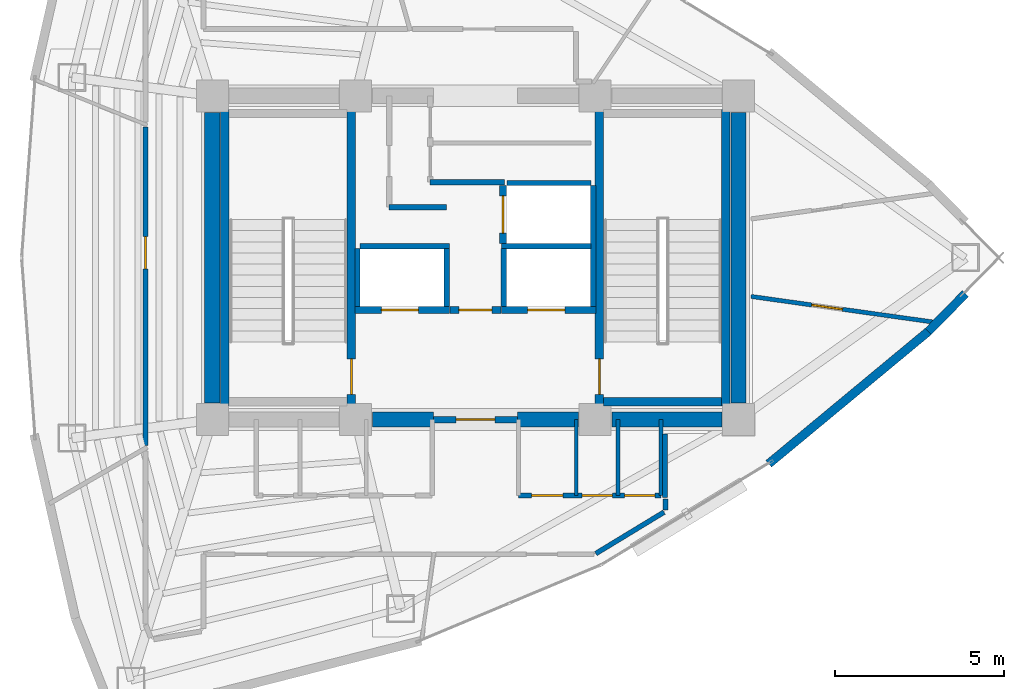
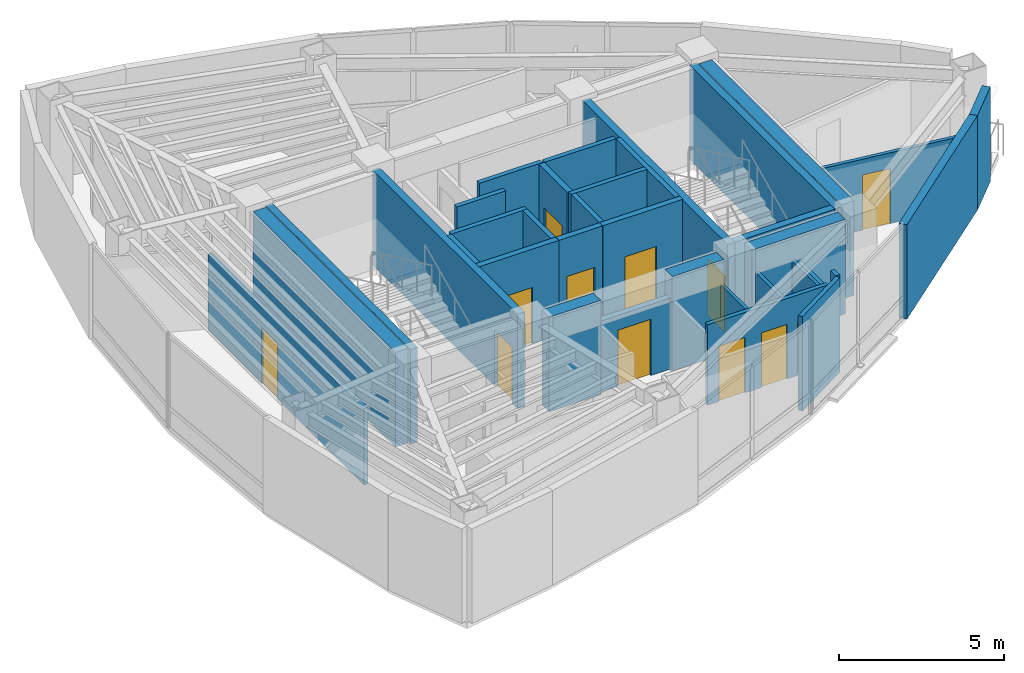
# One storey, part 12 of 15: 35 walls, 12 doors, 12 openings.
"""IFC4 building model written with IfcOpenShell, lengths in metres."""

from ifc_helpers import new_model, si_unit, direction, frame, frame_2d, origin, place, context, subcontext, project, spatial, rectangle, extrude, material, layer, layer_set, type_object, element, fill, save


model = new_model("IFC4")

# Units and contexts
model_context = context("Model", 3, precision=1e-05, world=origin(), true_north=direction((0.0, 1.0)))
body_context = subcontext(model_context, "Body", "Model", "MODEL_VIEW")
ifc_project = project(units=[si_unit("LENGTHUNIT", "METRE"), si_unit("AREAUNIT", "SQUARE_METRE"), si_unit("VOLUMEUNIT", "CUBIC_METRE"), si_unit("PLANEANGLEUNIT", "RADIAN"), si_unit("MASSUNIT", "GRAM", prefix="KILO")], contexts=[model_context])

# Site, building, storey
site_placement = place(None, origin())
site = spatial("IfcSite", under=ifc_project, at=site_placement, CompositionType="ELEMENT")
building_placement = place(site_placement, origin())
building = spatial("IfcBuilding", under=site, at=building_placement, Name="Menara Vayukalpa", CompositionType="ELEMENT")
storey_placement = place(building_placement, frame((0.0, 0.0, 288.06005859375)))
storey = spatial("IfcBuildingStorey", under=building, at=storey_placement, Name="L73", CompositionType="ELEMENT", Elevation=288.06005859375)

# Walls
ifc_material_1 = material(Name="Concrete C50/60", Category="concrete")
ifc_layer_1 = layer(ifc_material_1, 0.449951171875)
ifc_layer_set_1 = layer_set([ifc_layer_1], Name="Concrete C50/60")
wall_type_1 = type_object("IfcWallType", Name="WAL-CW450", PredefinedType="SHEAR", material=ifc_layer_set_1)
wall_1_placement = place(storey_placement, frame((22.544921875, 17.199951171875, 0.0), z_axis=(0.0, 0.0, 1.0), x_axis=(1.0, 0.0, 0.0)))
element("IfcWall", 1, at=wall_1_placement, inside=storey, type_object=wall_type_1, Name="L73 Buttressed Core Shear Wall CWS2", PredefinedType="SHEAR", context=body_context, shape_type="SweptSolid", body=[
    extrude(rectangle(XDim=1.80517578125, YDim=0.449951171875, at=frame_2d((0.902587890625, 0.0))), origin(), (0.0, 0.0, 1.0), 3.5),
])
wall_2_placement = place(storey_placement, frame((26.85009765625, 17.199951171875, 0.0), z_axis=(0.0, 0.0, 1.0), x_axis=(1.0, 0.0, 0.0)))
element("IfcWall", 2, at=wall_2_placement, inside=storey, type_object=wall_type_1, Name="L73 Buttressed Core Shear Wall CWS3", PredefinedType="SHEAR", context=body_context, shape_type="SweptSolid", body=[
    extrude(rectangle(XDim=1.804931640625, YDim=0.449951171875, at=frame_2d((0.90234375, 0.0))), origin(), (0.0, 0.0, 1.0), 3.5),
])
wall_3_placement = place(storey_placement, frame((29.64501953125, 17.199951171875, 0.0), z_axis=(0.0, 0.0, 1.0), x_axis=(1.0, 0.0, 0.0)))
element("IfcWall", 3, at=wall_3_placement, inside=storey, type_object=wall_type_1, Name="L73 Buttressed Core Shear Wall CWS4", PredefinedType="SHEAR", context=body_context, shape_type="SweptSolid", body=[
    extrude(rectangle(XDim=3.260009765625, YDim=0.449951171875, at=frame_2d((1.6298828125, 0.0))), origin(), (0.0, 0.0, 1.0), 3.5),
])
for number, where, z_axis, x_axis, name in (
    (4, (17.800048828125, 17.695068359375, 0.0), (0.0, 0.0, 1.0), (0.0, 1.0, 0.0), "L73 Buttressed Core Shear Wall CWW1"),
    (5, (33.39990234375, 17.695068359375, 0.0), (0.0, 0.0, 1.0), (0.0, 1.0, 0.0), "L73 Buttressed Core Shear Wall CWE1"),
):
    element("IfcWall", number, at=place(storey_placement, frame(where, z_axis=z_axis, x_axis=x_axis)), inside=storey, type_object=wall_type_1, Name=name, PredefinedType="SHEAR", context=body_context, shape_type="SweptSolid", body=[
        extrude(rectangle(XDim=8.60986328125, YDim=0.449951171875, at=frame_2d((4.304931640625, 0.0))), origin(), (0.0, 0.0, 1.0), 3.5),
    ])
ifc_material_2 = material(Name="Insulated Precast Concrete C40/50", Category="concrete")
ifc_layer_2 = layer(ifc_material_2, 0.260009765625)
ifc_layer_set_2 = layer_set([ifc_layer_2], Name="Insulated Precast Concrete C40/50")
wall_type_2 = type_object("IfcWallType", Name="WAL-EXT260", PredefinedType="PARTITIONING", material=ifc_layer_set_2)
wall_4_placement = place(storey_placement, frame((40.1240234375, 20.932861328125, 0.0), z_axis=(0.0, 0.0, 1.0), x_axis=(-0.700470648387, -0.71368121087, 0.0)))
element("IfcWall", 6, at=wall_4_placement, inside=storey, type_object=wall_type_2, Name="L73 Perimeter Terracotta Pier Wall 01", PredefinedType="PARTITIONING", context=body_context, shape_type="SweptSolid", body=[
    extrude(rectangle(XDim=1.57080078125, YDim=0.260009765625, at=frame_2d((0.785400390625, 0.0))), origin(), (0.0, 0.0, 1.0), 3.5),
])
wall_5_placement = place(storey_placement, frame((39.032470703125, 19.81982421875, 0.0), z_axis=(0.0, 0.0, 1.0), x_axis=(-0.769779830138, -0.638309496337, 0.0)))
element("IfcWall", 7, at=wall_5_placement, inside=storey, type_object=wall_type_2, Name="L73 Perimeter Terracotta Pier Wall 18", PredefinedType="PARTITIONING", context=body_context, shape_type="SweptSolid", body=[
    extrude(rectangle(XDim=6.154052734375, YDim=0.260009765625, at=frame_2d((3.0771484375, 0.0))), origin(), (0.0, 0.0, 1.0), 3.5),
])
ifc_material_3 = material(Name="Lightweight Concrete Blockwork C16/20", Category="masonry")
ifc_layer_3 = layer(ifc_material_3, 0.159912109375)
ifc_layer_set_3 = layer_set([ifc_layer_3], Name="Lightweight Concrete Blockwork C16/20")
wall_type_3 = type_object("IfcWallType", Name="WAL-FR150", PredefinedType="PARTITIONING", material=ifc_layer_set_3)
for number, where, z_axis, x_axis, name in (
    (8, (22.10498046875, 20.56005859375, 0.0), (0.0, 0.0, 1.0), (0.0, 1.0, 0.0), "L73 Interior Partition IW-L73-SHW-WW"),
    (9, (24.7548828125, 20.56005859375, 0.0), (0.0, 0.0, 1.0), (0.0, 1.0, 0.0), "L73 Interior Partition IW-L73-SHW-W1E"),
):
    element("IfcWall", number, at=place(storey_placement, frame(where, z_axis=z_axis, x_axis=x_axis)), inside=storey, type_object=wall_type_3, Name=name, PredefinedType="PARTITIONING", context=body_context, shape_type="SweptSolid", body=[
        extrude(rectangle(XDim=1.7099609375, YDim=0.159912109375, at=frame_2d((0.85498046875, 0.0))), origin(), (0.0, 0.0, 1.0), 3.5),
    ])
wall_6_placement = place(storey_placement, frame((22.179931640625, 22.344970703125, 0.0), z_axis=(0.0, 0.0, 1.0), x_axis=(1.0, 0.0, 0.0)))
element("IfcWall", 10, at=wall_6_placement, inside=storey, type_object=wall_type_3, Name="L73 Interior Partition IW-L73-SHM-W12", PredefinedType="PARTITIONING", context=body_context, shape_type="SweptSolid", body=[
    extrude(rectangle(XDim=2.650146484375, YDim=0.159912109375, at=frame_2d((1.3251953125, 0.0))), origin(), (0.0, 0.0, 1.0), 3.5),
])
wall_7_placement = place(storey_placement, frame((29.094970703125, 20.56005859375, 0.0), z_axis=(0.0, 0.0, 1.0), x_axis=(0.0, 1.0, 0.0)))
element("IfcWall", 11, at=wall_7_placement, inside=storey, type_object=wall_type_3, Name="L73 Interior Partition IW-L73-SHW-EE", PredefinedType="PARTITIONING", context=body_context, shape_type="SweptSolid", body=[
    extrude(rectangle(XDim=3.579833984375, YDim=0.159912109375, at=frame_2d((1.7900390625, 0.0))), origin(), (0.0, 0.0, 1.0), 3.5),
])
wall_8_placement = place(storey_placement, frame((26.445068359375, 20.56005859375, 0.0), z_axis=(0.0, 0.0, 1.0), x_axis=(0.0, 1.0, 0.0)))
element("IfcWall", 12, at=wall_8_placement, inside=storey, type_object=wall_type_3, Name="L73 Interior Partition IW-L73-SHW-E1W", PredefinedType="PARTITIONING", context=body_context, shape_type="SweptSolid", body=[
    extrude(rectangle(XDim=1.7099609375, YDim=0.159912109375, at=frame_2d((0.85498046875, 0.0))), origin(), (0.0, 0.0, 1.0), 3.5),
])
wall_9_placement = place(storey_placement, frame((26.3701171875, 22.344970703125, 0.0), z_axis=(0.0, 0.0, 1.0), x_axis=(1.0, 0.0, 0.0)))
element("IfcWall", 13, at=wall_9_placement, inside=storey, type_object=wall_type_3, Name="L73 Interior Partition IW-L73-SHM-E13", PredefinedType="PARTITIONING", context=body_context, shape_type="SweptSolid", body=[
    extrude(rectangle(XDim=2.64990234375, YDim=0.159912109375, at=frame_2d((1.324951171875, 0.0))), origin(), (0.0, 0.0, 1.0), 3.5),
])
wall_10_placement = place(storey_placement, frame((26.530029296875, 24.215087890625, 0.0), z_axis=(0.0, 0.0, 1.0), x_axis=(1.0, 0.0, 0.0)))
element("IfcWall", 14, at=wall_10_placement, inside=storey, type_object=wall_type_3, Name="L73 Interior Partition IW-L73-SHM-E32", PredefinedType="PARTITIONING", context=body_context, shape_type="SweptSolid", body=[
    extrude(rectangle(XDim=2.489990234375, YDim=0.159912109375, at=frame_2d((1.2451171875, 0.0))), origin(), (0.0, 0.0, 1.0), 3.5),
])
wall_11_placement = place(storey_placement, frame((23.0400390625, 23.5, 0.0), z_axis=(0.0, 0.0, 1.0), x_axis=(1.0, 0.0, 0.0)))
element("IfcWall", 15, at=wall_11_placement, inside=storey, type_object=wall_type_3, Name="L73 Interior Partition IW-L73-LV7WA", PredefinedType="PARTITIONING", context=body_context, shape_type="SweptSolid", body=[
    extrude(rectangle(XDim=1.699951171875, YDim=0.159912109375, at=frame_2d((0.85009765625, 0.0))), origin(), (0.0, 0.0, 1.0), 3.5),
])
wall_12_placement = place(storey_placement, frame((24.260009765625, 24.239990234375, 0.0), z_axis=(0.0, 0.0, 1.0), x_axis=(1.0, 0.0, 0.0)))
element("IfcWall", 16, at=wall_12_placement, inside=storey, type_object=wall_type_3, Name="L73 Interior Partition IW-L73-LV7EA", PredefinedType="PARTITIONING", context=body_context, shape_type="SweptSolid", body=[
    extrude(rectangle(XDim=2.199951171875, YDim=0.159912109375, at=frame_2d((1.10009765625, 0.0))), origin(), (0.0, 0.0, 1.0), 3.5),
])

# Wall, opening, door
ifc_material_4 = material(Name="Lightweight Concrete Blockwork C16/20", Category="masonry")
ifc_layer_4 = layer(ifc_material_4, 0.199951171875)
ifc_layer_set_4 = layer_set([ifc_layer_4], Name="Lightweight Concrete Blockwork C16/20")
wall_type_4 = type_object("IfcWallType", Name="WAL-FR200", PredefinedType="PARTITIONING", material=ifc_layer_set_4)
wall_13_placement = place(storey_placement, frame((24.35009765625, 17.199951171875, 0.0), z_axis=(0.0, 0.0, 1.0), x_axis=(1.0, 0.0, 0.0)))
wall_13 = element("IfcWall", 17, at=wall_13_placement, inside=storey, type_object=wall_type_4, Name="L73 Interior Partition IW-L73-FFLS", PredefinedType="PARTITIONING", context=body_context, shape_type="SweptSolid", body=[
    extrude(rectangle(XDim=2.5, YDim=0.199951171875, at=frame_2d((1.25, 0.0))), origin(), (0.0, 0.0, 1.0), 2.6298828125),
])
opening_1_placement = place(wall_13_placement, frame((0.679931640625, 0.0, 0.0)))
opening_1 = element("IfcOpeningElement", 18, at=opening_1_placement, cuts=wall_13, Name="Opening ID2", PredefinedType="OPENING", context=body_context, shape_type="SweptSolid", body=[
    extrude(rectangle(XDim=1.14990234375, YDim=2.080078125, at=frame_2d((0.574951171875, 1.0400390625))), frame((0.0, 0.10986328125, 0.0), z_axis=(0.0, -1.0, 0.0), x_axis=(1.0, 0.0, 0.0)), (0.0, 0.0, 1.0), 0.219970703125),
])
ifc_material_5 = material(Name="Fire-Rated Powder-Coated Steel Door", Category="steel")
door_type_1 = type_object("IfcDoorType", Name="DR-FD60W", OperationType="NOTDEFINED", PredefinedType="DOOR", material=ifc_material_5)
door_1_placement = place(opening_1_placement, origin())
door_1 = element("IfcDoor", 19, at=door_1_placement, inside=storey, type_object=door_type_1, Name="L73 Interior Door DR-L73-FFLS", OperationType="SINGLE_SWING_LEFT", OverallHeight=2.080078125, OverallWidth=1.14990234375, PredefinedType="DOOR", context=body_context, shape_type="SweptSolid", body=[
    extrude(rectangle(XDim=1.14990234375, YDim=2.080078125, at=frame_2d((0.574951171875, 1.0400390625))), frame((0.0, 0.02490234375, 0.0), z_axis=(0.0, -1.0, 0.0), x_axis=(1.0, 0.0, 0.0)), (0.0, 0.0, 1.0), 0.050048828125),
])
fill(opening_1, door_1)

wall_14_placement = place(storey_placement, frame((24.840087890625, 20.449951171875, 0.0), z_axis=(0.0, 0.0, 1.0), x_axis=(1.0, 0.0, 0.0)))
wall_14 = element("IfcWall", 20, at=wall_14_placement, inside=storey, type_object=wall_type_4, Name="L73 Interior Partition IW-L73-FFLN", PredefinedType="PARTITIONING", context=body_context, shape_type="SweptSolid", body=[
    extrude(rectangle(XDim=1.52001953125, YDim=0.199951171875, at=frame_2d((0.760009765625, 0.0))), origin(), (0.0, 0.0, 1.0), 3.5),
])
opening_2_placement = place(wall_14_placement, frame((0.27001953125, 0.0, 0.0)))
opening_2 = element("IfcOpeningElement", 21, at=opening_2_placement, cuts=wall_14, Name="Opening ID3", PredefinedType="OPENING", context=body_context, shape_type="SweptSolid", body=[
    extrude(rectangle(XDim=0.97998046875, YDim=2.06005859375, at=frame_2d((0.489990234375, 1.030029296875))), frame((0.0, 0.10986328125, 0.0), z_axis=(0.0, -1.0, 0.0), x_axis=(1.0, 0.0, 0.0)), (0.0, 0.0, 1.0), 0.219970703125),
])
ifc_material_6 = material(Name="Fire-Rated Powder-Coated Steel Door", Category="steel")
door_type_2 = type_object("IfcDoorType", Name="DR-FD60", OperationType="NOTDEFINED", PredefinedType="DOOR", material=ifc_material_6)
door_2_placement = place(opening_2_placement, origin())
door_2 = element("IfcDoor", 22, at=door_2_placement, inside=storey, type_object=door_type_2, Name="L73 Interior Door DR-L73-FFLN", OperationType="SINGLE_SWING_RIGHT", OverallHeight=2.06005859375, OverallWidth=0.97998046875, PredefinedType="DOOR", context=body_context, shape_type="SweptSolid", body=[
    extrude(rectangle(XDim=0.97998046875, YDim=2.06005859375, at=frame_2d((0.489990234375, 1.030029296875))), frame((0.0, 0.02490234375, 0.0), z_axis=(0.0, -1.0, 0.0), x_axis=(1.0, 0.0, 0.0)), (0.0, 0.0, 1.0), 0.050048828125),
])
fill(opening_2, door_2)

wall_15_placement = place(storey_placement, frame((22.030029296875, 20.449951171875, 0.0), z_axis=(0.0, 0.0, 1.0), x_axis=(1.0, 0.0, 0.0)))
wall_15 = element("IfcWall", 23, at=wall_15_placement, inside=storey, type_object=wall_type_4, Name="L73 Interior Partition IW-L73-SH-W1", PredefinedType="PARTITIONING", context=body_context, shape_type="SweptSolid", body=[
    extrude(rectangle(XDim=2.800048828125, YDim=0.199951171875, at=frame_2d((1.39990234375, 0.0))), origin(), (0.0, 0.0, 1.0), 3.5),
])
opening_3_placement = place(wall_15_placement, frame((0.780029296875, 0.0, 0.0)))
opening_3 = element("IfcOpeningElement", 24, at=opening_3_placement, cuts=wall_15, Name="Opening LD1", PredefinedType="OPENING", context=body_context, shape_type="SweptSolid", body=[
    extrude(rectangle(XDim=1.10009765625, YDim=2.080078125, at=frame_2d((0.550048828125, 1.0400390625))), frame((0.0, 0.10986328125, 0.0), z_axis=(0.0, -1.0, 0.0), x_axis=(1.0, 0.0, 0.0)), (0.0, 0.0, 1.0), 0.219970703125),
])
ifc_material_7 = material(Name="Brushed Stainless Steel 316 Lift Door", Category="steel")
door_type_3 = type_object("IfcDoorType", Name="DR-LD110", OperationType="NOTDEFINED", PredefinedType="DOOR", material=ifc_material_7)
door_3_placement = place(opening_3_placement, origin())
door_3 = element("IfcDoor", 25, at=door_3_placement, inside=storey, type_object=door_type_3, Name="L73 Interior Door DR-L73-LD-W1", OperationType="DOUBLE_DOOR_SLIDING", OverallHeight=2.080078125, OverallWidth=1.10009765625, PredefinedType="DOOR", context=body_context, shape_type="SweptSolid", body=[
    extrude(rectangle(XDim=1.10009765625, YDim=2.080078125, at=frame_2d((0.550048828125, 1.0400390625))), frame((0.0, 0.02490234375, 0.0), z_axis=(0.0, -1.0, 0.0), x_axis=(1.0, 0.0, 0.0)), (0.0, 0.0, 1.0), 0.050048828125),
])
fill(opening_3, door_3)

wall_16_placement = place(storey_placement, frame((26.3701171875, 20.449951171875, 0.0), z_axis=(0.0, 0.0, 1.0), x_axis=(1.0, 0.0, 0.0)))
wall_16 = element("IfcWall", 26, at=wall_16_placement, inside=storey, type_object=wall_type_4, Name="L73 Interior Partition IW-L73-SH-E1", PredefinedType="PARTITIONING", context=body_context, shape_type="SweptSolid", body=[
    extrude(rectangle(XDim=2.7998046875, YDim=0.199951171875, at=frame_2d((1.39990234375, 0.0))), origin(), (0.0, 0.0, 1.0), 3.5),
])
opening_4_placement = place(wall_16_placement, frame((0.780029296875, 0.0, 0.0)))
opening_4 = element("IfcOpeningElement", 27, at=opening_4_placement, cuts=wall_16, Name="Opening LD1", PredefinedType="OPENING", context=body_context, shape_type="SweptSolid", body=[
    extrude(rectangle(XDim=1.10009765625, YDim=2.080078125, at=frame_2d((0.550048828125, 1.0400390625))), frame((0.0, 0.10986328125, 0.0), z_axis=(0.0, -1.0, 0.0), x_axis=(1.0, 0.0, 0.0)), (0.0, 0.0, 1.0), 0.219970703125),
])
door_4_placement = place(opening_4_placement, origin())
door_4 = element("IfcDoor", 28, at=door_4_placement, inside=storey, type_object=door_type_3, Name="L73 Interior Door DR-L73-LD-E1", OperationType="DOUBLE_DOOR_SLIDING", OverallHeight=2.080078125, OverallWidth=1.10009765625, PredefinedType="DOOR", context=body_context, shape_type="SweptSolid", body=[
    extrude(rectangle(XDim=1.10009765625, YDim=2.080078125, at=frame_2d((0.550048828125, 1.0400390625))), frame((0.0, 0.02490234375, 0.0), z_axis=(0.0, -1.0, 0.0), x_axis=(1.0, 0.0, 0.0)), (0.0, 0.0, 1.0), 0.050048828125),
])
fill(opening_4, door_4)

wall_17_placement = place(storey_placement, frame((26.419921875, 22.419921875, 0.0), z_axis=(0.0, 0.0, 1.0), x_axis=(0.0, 1.0, 0.0)))
wall_17 = element("IfcWall", 29, at=wall_17_placement, inside=storey, type_object=wall_type_4, Name="L73 Interior Partition IW-L73-SH-E3", PredefinedType="PARTITIONING", context=body_context, shape_type="SweptSolid", body=[
    extrude(rectangle(XDim=1.719970703125, YDim=0.199951171875, at=frame_2d((0.85986328125, 0.0))), origin(), (0.0, 0.0, 1.0), 3.5),
])
opening_5_placement = place(wall_17_placement, frame((0.31005859375, 0.0, 0.0)))
opening_5 = element("IfcOpeningElement", 30, at=opening_5_placement, cuts=wall_17, Name="Opening LD1", PredefinedType="OPENING", context=body_context, shape_type="SweptSolid", body=[
    extrude(rectangle(XDim=1.10009765625, YDim=2.080078125, at=frame_2d((0.550048828125, 1.0400390625))), frame((0.0, 0.10986328125, 0.0), z_axis=(0.0, -1.0, 0.0), x_axis=(1.0, 0.0, 0.0)), (0.0, 0.0, 1.0), 0.219970703125),
])
door_5_placement = place(opening_5_placement, origin())
door_5 = element("IfcDoor", 31, at=door_5_placement, inside=storey, type_object=door_type_3, Name="L73 Interior Door DR-L73-LD-E3", OperationType="DOUBLE_DOOR_SLIDING", OverallHeight=2.080078125, OverallWidth=1.10009765625, PredefinedType="DOOR", context=body_context, shape_type="SweptSolid", body=[
    extrude(rectangle(XDim=1.10009765625, YDim=2.080078125, at=frame_2d((0.550048828125, 1.0400390625))), frame((0.0, 0.02490234375, 0.0), z_axis=(0.0, -1.0, 0.0), x_axis=(1.0, 0.0, 0.0)), (0.0, 0.0, 1.0), 0.050048828125),
])
fill(opening_5, door_5)

# Walls
ifc_material_8 = material(Name="Acoustic Mineral Stud Partition", Category="masonry")
ifc_layer_5 = layer(ifc_material_8, 0.110107421875)
ifc_layer_set_5 = layer_set([ifc_layer_5], Name="Acoustic Mineral Stud Partition")
wall_type_5 = type_object("IfcWallType", Name="WAL-PT110", PredefinedType="PARTITIONING", material=ifc_layer_set_5)
wall_18_placement = place(storey_placement, frame((28.590087890625, 14.949951171875, 0.0), z_axis=(0.0, 0.0, 1.0), x_axis=(0.0, 1.0, 0.0)))
element("IfcWall", 32, at=wall_18_placement, inside=storey, type_object=wall_type_5, Name="L73 Interior Partition IW-L73-SVCD-06", PredefinedType="PARTITIONING", context=body_context, shape_type="SweptSolid", body=[
    extrude(rectangle(XDim=2.25, YDim=0.110107421875, at=frame_2d((1.125, 0.0))), origin(), (0.0, 0.0, 1.0), 2.6298828125),
])
ifc_material_9 = material(Name="Gypsum Drywall Steel Stud Assembly", Category="steel")
ifc_layer_6 = layer(ifc_material_9, 0.125)
ifc_layer_set_6 = layer_set([ifc_layer_6], Name="Gypsum Drywall Steel Stud Assembly")
wall_type_6 = type_object("IfcWallType", Name="WAL-PT125", PredefinedType="PARTITIONING", material=ifc_layer_set_6)
for number, where, z_axis, x_axis, name in (
    (33, (29.830078125, 14.949951171875, 0.0), (0.0, 0.0, 1.0), (0.0, 1.0, 0.0), "L73 Interior Partition IW-L73-SVCD-07"),
    (34, (31.10009765625, 14.949951171875, 0.0), (0.0, 0.0, 1.0), (0.0, 1.0, 0.0), "L73 Interior Partition IW-L73-SVCD-08"),
):
    element("IfcWall", number, at=place(storey_placement, frame(where, z_axis=z_axis, x_axis=x_axis)), inside=storey, type_object=wall_type_6, Name=name, PredefinedType="PARTITIONING", context=body_context, shape_type="SweptSolid", body=[
        extrude(rectangle(XDim=2.25, YDim=0.125, at=frame_2d((1.125, 0.0))), origin(), (0.0, 0.0, 1.0), 2.6298828125),
    ])

# Wall, opening, door
wall_19_placement = place(storey_placement, frame((33.77001953125, 20.851806640625, 0.0), z_axis=(0.0, 0.0, 1.0), x_axis=(0.990268923666, -0.139167017724, 0.0)))
wall_19 = element("IfcWall", 35, at=wall_19_placement, inside=storey, type_object=wall_type_6, Name="L73 Interior Partition IW-L73-RDIV07", PredefinedType="PARTITIONING", context=body_context, shape_type="SweptSolid", body=[
    extrude(rectangle(XDim=5.580322265625, YDim=0.125, at=frame_2d((2.7900390625, 0.0))), origin(), (0.0, 0.0, 1.0), 2.6298828125),
])
opening_6_placement = place(wall_19_placement, frame((1.817626953125, 0.0, 0.0)))
opening_6 = element("IfcOpeningElement", 36, at=opening_6_placement, cuts=wall_19, Name="Opening ID6", PredefinedType="OPENING", context=body_context, shape_type="SweptSolid", body=[
    extrude(rectangle(XDim=0.919921875, YDim=2.050048828125, at=frame_2d((0.4599609375, 1.02490234375))), frame((0.0, 0.072509765625, 0.0), z_axis=(0.0, -1.0, 0.0), x_axis=(1.0, 0.0, 0.0)), (0.0, 0.0, 1.0), 0.14501953125),
])
ifc_material_10 = material(Name="Acoustic Hardwood Veneer Timber Door", Category="wood")
door_type_4 = type_object("IfcDoorType", Name="DR-INT92", OperationType="NOTDEFINED", PredefinedType="DOOR", material=ifc_material_10)
door_6_placement = place(opening_6_placement, origin())
door_6 = element("IfcDoor", 37, at=door_6_placement, inside=storey, type_object=door_type_4, Name="L73 Interior Door DR-L73-STE05", OperationType="SINGLE_SWING_RIGHT", OverallHeight=2.050048828125, OverallWidth=0.919921875, PredefinedType="DOOR", context=body_context, shape_type="SweptSolid", body=[
    extrude(rectangle(XDim=0.919921875, YDim=2.050048828125, at=frame_2d((0.4599609375, 1.02490234375))), frame((0.0, 0.02490234375, 0.0), z_axis=(0.0, -1.0, 0.0), x_axis=(1.0, 0.0, 0.0)), (0.0, 0.0, 1.0), 0.050048828125),
])
fill(opening_6, door_6)

# Wall, openings, doors
ifc_material_11 = material(Name="Gypsum Drywall Acoustic Stud Assembly", Category="masonry")
ifc_layer_7 = layer(ifc_material_11, 0.14501953125)
ifc_layer_set_7 = layer_set([ifc_layer_7], Name="Gypsum Drywall Acoustic Stud Assembly")
wall_type_7 = type_object("IfcWallType", Name="WAL-PT150", PredefinedType="PARTITIONING", material=ifc_layer_set_7)
wall_20_placement = place(storey_placement, frame((26.8798828125, 14.949951171875, 0.0), z_axis=(0.0, 0.0, 1.0), x_axis=(1.0, 0.0, 0.0)))
wall_20 = element("IfcWall", 38, at=wall_20_placement, inside=storey, type_object=wall_type_7, Name="L73 Interior Partition IW-L73-SVCS-E", PredefinedType="PARTITIONING", context=body_context, shape_type="SweptSolid", body=[
    extrude(rectangle(XDim=4.22021484375, YDim=0.14501953125, at=frame_2d((2.110107421875, 0.0))), origin(), (0.0, 0.0, 1.0), 2.97998046875),
])
opening_7_placement = place(wall_20_placement, frame((0.389892578125, 0.0, 0.0)))
opening_7 = element("IfcOpeningElement", 39, at=opening_7_placement, cuts=wall_20, Name="Opening ID6", PredefinedType="OPENING", context=body_context, shape_type="SweptSolid", body=[
    extrude(rectangle(XDim=0.919921875, YDim=2.050048828125, at=frame_2d((0.4599609375, 1.02490234375))), frame((0.0, 0.08251953125, 0.0), z_axis=(0.0, -1.0, 0.0), x_axis=(1.0, 0.0, 0.0)), (0.0, 0.0, 1.0), 0.1650390625),
])
opening_8_placement = place(wall_20_placement, frame((1.8798828125, 0.0, 0.0)))
opening_8 = element("IfcOpeningElement", 40, at=opening_8_placement, cuts=wall_20, Name="Opening ID7", PredefinedType="OPENING", context=body_context, shape_type="SweptSolid", body=[
    extrude(rectangle(XDim=0.89990234375, YDim=2.02001953125, at=frame_2d((0.449951171875, 1.010009765625))), frame((0.0, 0.08251953125, 0.0), z_axis=(0.0, -1.0, 0.0), x_axis=(1.0, 0.0, 0.0)), (0.0, 0.0, 1.0), 0.1650390625),
])
opening_9_placement = place(wall_20_placement, frame((3.139892578125, 0.0, 0.0)))
opening_9 = element("IfcOpeningElement", 41, at=opening_9_placement, cuts=wall_20, Name="Opening ID7", PredefinedType="OPENING", context=body_context, shape_type="SweptSolid", body=[
    extrude(rectangle(XDim=0.89990234375, YDim=2.02001953125, at=frame_2d((0.449951171875, 1.010009765625))), frame((0.0, 0.08251953125, 0.0), z_axis=(0.0, -1.0, 0.0), x_axis=(1.0, 0.0, 0.0)), (0.0, 0.0, 1.0), 0.1650390625),
])
door_7_placement = place(opening_7_placement, origin())
door_7 = element("IfcDoor", 42, at=door_7_placement, inside=storey, type_object=door_type_4, Name="L73 Interior Door DR-L73-KSV1", OperationType="SINGLE_SWING_LEFT", OverallHeight=2.050048828125, OverallWidth=0.919921875, PredefinedType="DOOR", context=body_context, shape_type="SweptSolid", body=[
    extrude(rectangle(XDim=0.919921875, YDim=2.050048828125, at=frame_2d((0.4599609375, 1.02490234375))), frame((0.0, 0.02490234375, 0.0), z_axis=(0.0, -1.0, 0.0), x_axis=(1.0, 0.0, 0.0)), (0.0, 0.0, 1.0), 0.050048828125),
])
fill(opening_7, door_7)
ifc_material_12 = material(Name="Powder-Coated Steel Riser Access Door", Category="steel")
door_type_5 = type_object("IfcDoorType", Name="DR-RISER", OperationType="NOTDEFINED", PredefinedType="DOOR", material=ifc_material_12)
door_8_placement = place(opening_8_placement, origin())
door_8 = element("IfcDoor", 43, at=door_8_placement, inside=storey, type_object=door_type_5, Name="L73 Interior Door DR-L73-KSV2", OperationType="SINGLE_SWING_RIGHT", OverallHeight=2.02001953125, OverallWidth=0.89990234375, PredefinedType="DOOR", context=body_context, shape_type="SweptSolid", body=[
    extrude(rectangle(XDim=0.89990234375, YDim=2.02001953125, at=frame_2d((0.449951171875, 1.010009765625))), frame((0.0, 0.02490234375, 0.0), z_axis=(0.0, -1.0, 0.0), x_axis=(1.0, 0.0, 0.0)), (0.0, 0.0, 1.0), 0.050048828125),
])
fill(opening_8, door_8)
door_9_placement = place(opening_9_placement, origin())
door_9 = element("IfcDoor", 44, at=door_9_placement, inside=storey, type_object=door_type_5, Name="L73 Interior Door DR-L73-SMD", OperationType="SINGLE_SWING_LEFT", OverallHeight=2.02001953125, OverallWidth=0.89990234375, PredefinedType="DOOR", context=body_context, shape_type="SweptSolid", body=[
    extrude(rectangle(XDim=0.89990234375, YDim=2.02001953125, at=frame_2d((0.449951171875, 1.010009765625))), frame((0.0, 0.02490234375, 0.0), z_axis=(0.0, -1.0, 0.0), x_axis=(1.0, 0.0, 0.0)), (0.0, 0.0, 1.0), 0.050048828125),
])
fill(opening_9, door_9)

# Wall, opening, door
wall_21_placement = place(storey_placement, frame((15.820068359375, 25.8759765625, 0.0), z_axis=(0.0, 0.0, 1.0), x_axis=(0.0, -1.0, 0.0)))
wall_21 = element("IfcWall", 45, at=wall_21_placement, inside=storey, type_object=wall_type_7, Name="L73 Interior Partition IW-L73-CRM01-1", PredefinedType="PARTITIONING", context=body_context, shape_type="SweptSolid", body=[
    extrude(rectangle(XDim=9.441650390625, YDim=0.14501953125, at=frame_2d((4.720703125, 0.0))), origin(), (0.0, 0.0, 1.0), 2.829833984375),
])
opening_10_placement = place(wall_21_placement, frame((3.25439453125, 0.0, 0.0)))
opening_10 = element("IfcOpeningElement", 46, at=opening_10_placement, cuts=wall_21, Name="Opening ID5", PredefinedType="OPENING", context=body_context, shape_type="SweptSolid", body=[
    extrude(rectangle(XDim=0.949951171875, YDim=2.06005859375, at=frame_2d((0.47509765625, 1.030029296875))), frame((0.0, 0.08251953125, 0.0), z_axis=(0.0, -1.0, 0.0), x_axis=(1.0, 0.0, 0.0)), (0.0, 0.0, 1.0), 0.1650390625),
])
ifc_material_13 = material(Name="Acoustic Hardwood Veneer Timber Door", Category="wood")
door_type_6 = type_object("IfcDoorType", Name="DR-INT95", OperationType="NOTDEFINED", PredefinedType="DOOR", material=ifc_material_13)
door_10_placement = place(opening_10_placement, origin())
door_10 = element("IfcDoor", 47, at=door_10_placement, inside=storey, type_object=door_type_6, Name="L73 Interior Door DR-L73-RM01", OperationType="SINGLE_SWING_RIGHT", OverallHeight=2.06005859375, OverallWidth=0.949951171875, PredefinedType="DOOR", context=body_context, shape_type="SweptSolid", body=[
    extrude(rectangle(XDim=0.949951171875, YDim=2.06005859375, at=frame_2d((0.47509765625, 1.030029296875))), frame((0.0, 0.02490234375, 0.0), z_axis=(0.0, -1.0, 0.0), x_axis=(1.0, 0.0, 0.0)), (0.0, 0.0, 1.0), 0.050048828125),
])
fill(opening_10, door_10)

# Walls
wall_22_placement = place(storey_placement, frame((29.167724609375, 13.228515625, 0.0), z_axis=(0.0, 0.0, 1.0), x_axis=(0.854678044033, 0.519158396876, 0.0)))
element("IfcWall", 48, at=wall_22_placement, inside=storey, type_object=wall_type_7, Name="L73 Interior Partition IW-L73-CRM04-2", PredefinedType="PARTITIONING", context=body_context, shape_type="SweptSolid", body=[
    extrude(rectangle(XDim=2.36767578125, YDim=0.14501953125, at=frame_2d((1.183837890625, 0.0))), origin(), (0.0, 0.0, 1.0), 3.5),
])
wall_23_placement = place(storey_placement, frame((31.22998046875, 14.526123046875, 0.0), z_axis=(0.0, 0.0, 1.0), x_axis=(0.0, 1.0, 0.0)))
element("IfcWall", 49, at=wall_23_placement, inside=storey, type_object=wall_type_7, Name="L73 Interior Partition IW-L73-CRM04-3", PredefinedType="PARTITIONING", context=body_context, shape_type="SweptSolid", body=[
    extrude(rectangle(XDim=0.323974609375, YDim=0.14501953125, at=frame_2d((0.162109375, 0.0))), origin(), (0.0, 0.0, 1.0), 3.5),
])
wall_24_placement = place(storey_placement, frame((31.219970703125, 14.888671875, 0.0), z_axis=(0.0, 0.0, 1.0), x_axis=(0.0, 1.0, 0.0)))
element("IfcWall", 50, at=wall_24_placement, inside=storey, type_object=wall_type_7, Name="L73 Interior Partition IW-L73-CRM04-4", PredefinedType="PARTITIONING", context=body_context, shape_type="SweptSolid", body=[
    extrude(rectangle(XDim=1.891357421875, YDim=0.14501953125, at=frame_2d((0.94580078125, 0.0))), origin(), (0.0, 0.0, 1.0), 2.6298828125),
])
ifc_material_14 = material(Name="Concrete C50/60", Category="concrete")
ifc_layer_8 = layer(ifc_material_14, 0.25)
ifc_layer_set_8 = layer_set([ifc_layer_8], Name="Concrete C50/60")
wall_type_8 = type_object("IfcWallType", Name="WAL-SW250", PredefinedType="SHEAR", material=ifc_layer_set_8)
wall_25_placement = place(storey_placement, frame((18.175048828125, 17.60009765625, 0.0), z_axis=(0.0, 0.0, 1.0), x_axis=(0.0, 1.0, 0.0)))
element("IfcWall", 51, at=wall_25_placement, inside=storey, type_object=wall_type_8, Name="L73 ST1 Structural Stair Shaft Wall W", PredefinedType="SHEAR", context=body_context, shape_type="SweptSolid", body=[
    extrude(rectangle(XDim=8.7998046875, YDim=0.25, at=frame_2d((4.39990234375, 0.0))), origin(), (0.0, 0.0, 1.0), 3.5),
])

# Wall, opening, door
wall_26_placement = place(storey_placement, frame((21.925048828125, 17.60009765625, 0.0), z_axis=(0.0, 0.0, 1.0), x_axis=(0.0, 1.0, 0.0)))
wall_26 = element("IfcWall", 52, at=wall_26_placement, inside=storey, type_object=wall_type_8, Name="L73 ST1 Structural Stair Shaft Wall E", PredefinedType="SHEAR", context=body_context, shape_type="SweptSolid", body=[
    extrude(rectangle(XDim=8.7998046875, YDim=0.25, at=frame_2d((4.39990234375, 0.0))), origin(), (0.0, 0.0, 1.0), 3.5),
])
opening_11_placement = place(wall_26_placement, frame((0.35009765625, 0.0, 0.0)))
opening_11 = element("IfcOpeningElement", 53, at=opening_11_placement, cuts=wall_26, Name="Opening ID1", PredefinedType="OPENING", context=body_context, shape_type="SweptSolid", body=[
    extrude(rectangle(XDim=1.050048828125, YDim=2.080078125, at=frame_2d((0.52490234375, 1.0400390625))), frame((0.0, 0.135009765625, 0.0), z_axis=(0.0, -1.0, 0.0), x_axis=(1.0, 0.0, 0.0)), (0.0, 0.0, 1.0), 0.27001953125),
])
ifc_material_15 = material(Name="Fire-Rated Powder-Coated Steel Door", Category="steel")
door_type_7 = type_object("IfcDoorType", Name="DR-FD120", OperationType="NOTDEFINED", PredefinedType="DOOR", material=ifc_material_15)
door_11_placement = place(opening_11_placement, origin())
door_11 = element("IfcDoor", 54, at=door_11_placement, inside=storey, type_object=door_type_7, Name="L73 Stair Exit Door DR-L73-ST1", OperationType="SINGLE_SWING_LEFT", OverallHeight=2.080078125, OverallWidth=1.050048828125, PredefinedType="DOOR", context=body_context, shape_type="SweptSolid", body=[
    extrude(rectangle(XDim=1.050048828125, YDim=2.080078125, at=frame_2d((0.52490234375, 1.0400390625))), frame((0.0, 0.02490234375, 0.0), z_axis=(0.0, -1.0, 0.0), x_axis=(1.0, 0.0, 0.0)), (0.0, 0.0, 1.0), 0.050048828125),
])
fill(opening_11, door_11)

wall_27_placement = place(storey_placement, frame((29.27490234375, 17.60009765625, 0.0), z_axis=(0.0, 0.0, 1.0), x_axis=(0.0, 1.0, 0.0)))
wall_27 = element("IfcWall", 55, at=wall_27_placement, inside=storey, type_object=wall_type_8, Name="L73 ST2 Structural Stair Shaft Wall W", PredefinedType="SHEAR", context=body_context, shape_type="SweptSolid", body=[
    extrude(rectangle(XDim=8.7998046875, YDim=0.25, at=frame_2d((4.39990234375, 0.0))), origin(), (0.0, 0.0, 1.0), 3.5),
])
opening_12_placement = place(wall_27_placement, frame((0.35009765625, 0.0, 0.0)))
opening_12 = element("IfcOpeningElement", 56, at=opening_12_placement, cuts=wall_27, Name="Opening ID1", PredefinedType="OPENING", context=body_context, shape_type="SweptSolid", body=[
    extrude(rectangle(XDim=1.050048828125, YDim=2.080078125, at=frame_2d((0.52490234375, 1.0400390625))), frame((0.0, 0.135009765625, 0.0), z_axis=(0.0, -1.0, 0.0), x_axis=(1.0, 0.0, 0.0)), (0.0, 0.0, 1.0), 0.27001953125),
])
door_12_placement = place(opening_12_placement, origin())
door_12 = element("IfcDoor", 57, at=door_12_placement, inside=storey, type_object=door_type_7, Name="L73 Stair Exit Door DR-L73-ST2", OperationType="SINGLE_SWING_RIGHT", OverallHeight=2.080078125, OverallWidth=1.050048828125, PredefinedType="DOOR", context=body_context, shape_type="SweptSolid", body=[
    extrude(rectangle(XDim=1.050048828125, YDim=2.080078125, at=frame_2d((0.52490234375, 1.0400390625))), frame((0.0, 0.02490234375, 0.0), z_axis=(0.0, -1.0, 0.0), x_axis=(1.0, 0.0, 0.0)), (0.0, 0.0, 1.0), 0.050048828125),
])
fill(opening_12, door_12)

# Walls
wall_28_placement = place(storey_placement, frame((33.02490234375, 17.60009765625, 0.0), z_axis=(0.0, 0.0, 1.0), x_axis=(0.0, 1.0, 0.0)))
element("IfcWall", 58, at=wall_28_placement, inside=storey, type_object=wall_type_8, Name="L73 ST2 Structural Stair Shaft Wall E", PredefinedType="SHEAR", context=body_context, shape_type="SweptSolid", body=[
    extrude(rectangle(XDim=8.7998046875, YDim=0.25, at=frame_2d((4.39990234375, 0.0))), origin(), (0.0, 0.0, 1.0), 3.5),
])
wall_29_placement = place(storey_placement, frame((29.39990234375, 17.72509765625, 0.0), z_axis=(0.0, 0.0, 1.0), x_axis=(1.0, 0.0, 0.0)))
element("IfcWall", 59, at=wall_29_placement, inside=storey, type_object=wall_type_8, Name="L73 ST2 Structural Stair Shaft Wall S", PredefinedType="SHEAR", context=body_context, shape_type="SweptSolid", body=[
    extrude(rectangle(XDim=3.5, YDim=0.25, at=frame_2d((1.75, 0.0))), origin(), (0.0, 0.0, 1.0), 3.5),
])

save(model, "model.ifc")
